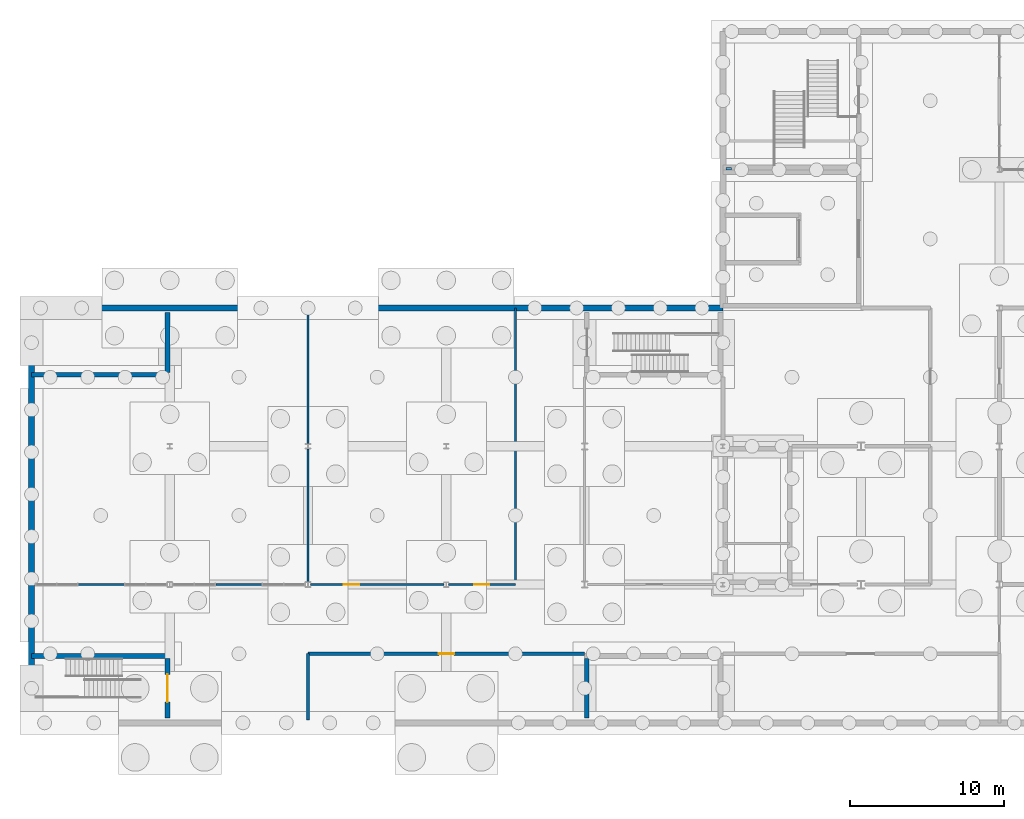
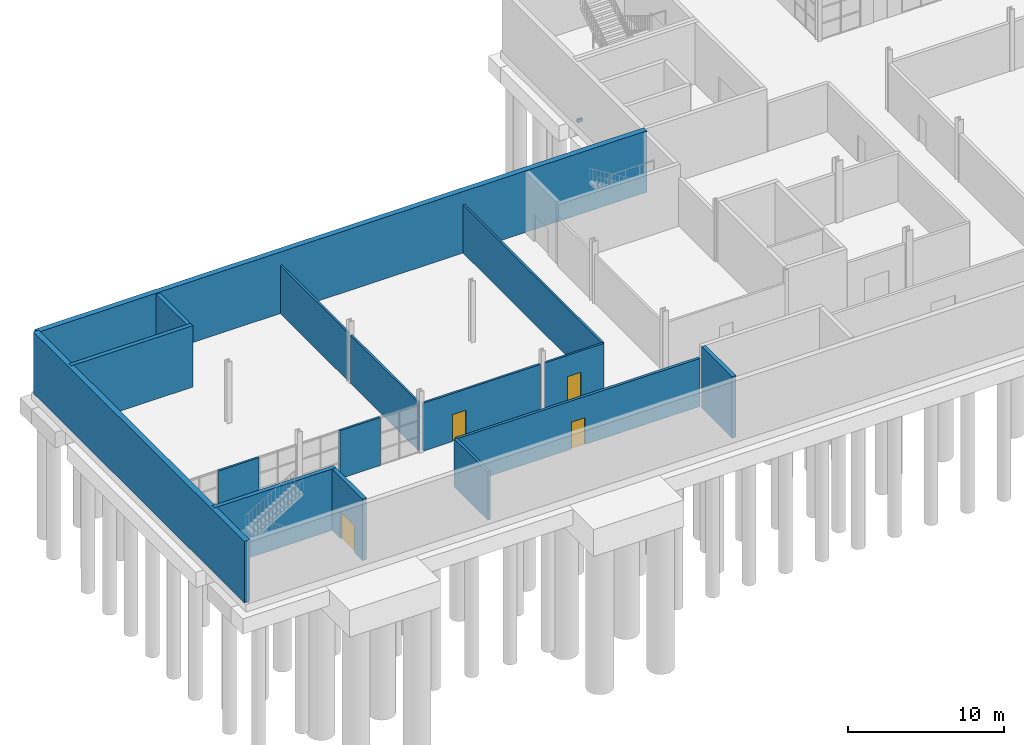
# One storey, part 11 of 17: 16 walls, 4 doors, 1 slab, 4 openings.
"""IFC4 building model written with IfcOpenShell, lengths in metres."""

from ifc_helpers import new_model, si_unit, direction, frame, frame_2d, origin, place, context, subcontext, project, spatial, polyline, rectangle, outline, extrude, material, layer, layer_set, type_object, element, fill, save


model = new_model("IFC4")

# Units and contexts
model_context = context("Model", 3, precision=1e-05, world=origin(), true_north=direction((0.0, 1.0)))
body_context = subcontext(model_context, "Body", "Model", "MODEL_VIEW")
ifc_project = project(units=[si_unit("LENGTHUNIT", "METRE"), si_unit("AREAUNIT", "SQUARE_METRE"), si_unit("VOLUMEUNIT", "CUBIC_METRE"), si_unit("PLANEANGLEUNIT", "RADIAN"), si_unit("MASSUNIT", "GRAM", prefix="KILO")], contexts=[model_context])

# Site, building, storey
site_placement = place(None, origin())
site = spatial("IfcSite", under=ifc_project, at=site_placement, CompositionType="ELEMENT")
building_placement = place(site_placement, origin())
building = spatial("IfcBuilding", under=site, at=building_placement, Name="Halyard Row Museum", CompositionType="ELEMENT")
storey_placement = place(building_placement, frame((0.0, 0.0, -9.60009765625)))
storey = spatial("IfcBuildingStorey", under=building, at=storey_placement, Name="B2", CompositionType="ELEMENT", Elevation=-9.60009765625)

# Slab
ifc_material_1 = material(Name="Concrete 40 MPa", Category="concrete")
ifc_layer_1 = layer(ifc_material_1, 0.25)
ifc_layer_set_1 = layer_set([ifc_layer_1], Name="Concrete 40 MPa")
slab_type = type_object("IfcSlabType", Name="Core floor slab 250", PredefinedType="FLOOR", material=ifc_layer_set_1)
slab_placement = place(storey_placement, frame((0.0, 0.0, -0.25)))
element("IfcSlab", 1, at=slab_placement, inside=storey, type_object=slab_type, Name="Core floor K5A B2", PredefinedType="FLOOR", context=body_context, shape_type="SweptSolid", body=[
    extrude(outline(polyline([(72.550048828125, 54.0), (72.550048828125, 54.14990234375), (72.199951171875, 54.14990234375), (72.199951171875, 54.0), (72.550048828125, 54.0)])), origin(), (0.0, 0.0, 1.0), 0.25),
])

# Walls
ifc_material_2 = material(Name="Concrete 40 MPa", Category="concrete")
ifc_layer_2 = layer(ifc_material_2, 0.39990234375)
ifc_layer_set_2 = layer_set([ifc_layer_2], Name="Concrete 40 MPa")
wall_type_1 = type_object("IfcWallType", Name="Basement retaining wall", PredefinedType="SOLIDWALL", material=ifc_layer_set_2)
wall_1_placement = place(storey_placement, frame((27.0, 45.0, 0.0), z_axis=(0.0, 0.0, 1.0), x_axis=(1.0, 0.0, 0.0)))
element("IfcWall", 2, at=wall_1_placement, inside=storey, type_object=wall_type_1, Name="Retaining wall B2 S1", PredefinedType="SOLIDWALL", context=body_context, shape_type="SweptSolid", body=[
    extrude(rectangle(XDim=45.0, YDim=0.39990234375, at=frame_2d((22.5, 0.0))), origin(), (0.0, 0.0, 1.0), 4.800048828125),
])
wall_2_placement = place(storey_placement, frame((27.0, 18.0, 0.0), z_axis=(0.0, 0.0, 1.0), x_axis=(0.0, 1.0, 0.0)))
element("IfcWall", 3, at=wall_2_placement, inside=storey, type_object=wall_type_1, Name="Retaining wall B2 W1", PredefinedType="SOLIDWALL", context=body_context, shape_type="SweptSolid", body=[
    extrude(rectangle(XDim=27.0, YDim=0.39990234375, at=frame_2d((13.5, 0.0))), origin(), (0.0, 0.0, 1.0), 4.800048828125),
])
ifc_material_3 = material(Name="Fire-resisting plasterboard on steel studs", Category="steel")
ifc_layer_3 = layer(ifc_material_3, 0.14990234375)
ifc_layer_set_3 = layer_set([ifc_layer_3], Name="Fire-resisting plasterboard on steel studs")
wall_type_2 = type_object("IfcWallType", Name="Compartment wall 150 fire rated", PredefinedType="PARTITIONING", material=ifc_layer_set_3)
for number, where, z_axis, x_axis, name in (
    (4, (30.03759765625, 27.0, 0.0), (0.0, 0.0, 1.0), (1.0, 0.0, 0.0), "Partition Stair Lobby K1D B2 / Paintings Conservation Laboratory"),
    (5, (39.0, 27.0, 0.0), (0.0, 0.0, 1.0), (1.0, 0.0, 0.0), "Partition Stair Lobby K1D B2 / Paintings Conservation Laboratory"),
):
    element("IfcWall", number, at=place(storey_placement, frame(where, z_axis=z_axis, x_axis=x_axis)), inside=storey, type_object=wall_type_2, Name=name, PredefinedType="PARTITIONING", context=body_context, shape_type="SweptSolid", body=[
        extrude(rectangle(XDim=3.0, YDim=0.14990234375, at=frame_2d((1.5, 0.0))), origin(), (0.0, 0.0, 1.0), 3.758056640625),
    ])

# Wall, opening, door
wall_3_placement = place(storey_placement, frame((45.175048828125, 27.0, 0.0), z_axis=(0.0, 0.0, 1.0), x_axis=(1.0, 0.0, 0.0)))
wall_3 = element("IfcWall", 6, at=wall_3_placement, inside=storey, type_object=wall_type_2, Name="Partition Lower Art Route / Paintings Store", PredefinedType="PARTITIONING", context=body_context, shape_type="SweptSolid", body=[
    extrude(rectangle(XDim=8.66943359375, YDim=0.14990234375, at=frame_2d((4.334716796875, 0.0))), origin(), (0.0, 0.0, 1.0), 3.758056640625),
])
opening_1_placement = place(wall_3_placement, frame((2.14990234375, 0.0, 0.0)))
opening_1 = element("IfcOpeningElement", 7, at=opening_1_placement, cuts=wall_3, Name="Opening DB2-009", PredefinedType="OPENING", context=body_context, shape_type="SweptSolid", body=[
    extrude(rectangle(XDim=1.0, YDim=2.10009765625, at=frame_2d((0.5, 1.050048828125))), frame((0.0, 0.0849609375, 0.0), z_axis=(0.0, -1.0, 0.0), x_axis=(1.0, 0.0, 0.0)), (0.0, 0.0, 1.0), 0.169921875),
])
ifc_material_4 = material(Name="Fire-resisting timber door leaf and steel frame", Category="steel")
door_type_1 = type_object("IfcDoorType", Name="Compartment door 1000 x 2100 fire rated", OperationType="NOTDEFINED", PredefinedType="DOOR", material=ifc_material_4)
door_1_placement = place(opening_1_placement, origin())
door_1 = element("IfcDoor", 8, at=door_1_placement, inside=storey, type_object=door_type_1, Name="Door Paintings Store to Lower Art Route", OperationType="SINGLE_SWING_RIGHT", OverallHeight=2.10009765625, OverallWidth=1.0, PredefinedType="DOOR", context=body_context, shape_type="SweptSolid", body=[
    extrude(rectangle(XDim=1.0, YDim=2.10009765625, at=frame_2d((0.5, 1.050048828125))), frame((0.0, 0.02490234375, 0.0), z_axis=(0.0, -1.0, 0.0), x_axis=(1.0, 0.0, 0.0)), (0.0, 0.0, 1.0), 0.050048828125),
])
fill(opening_1, door_1)

wall_4_placement = place(storey_placement, frame((54.155517578125, 27.0, 0.0), z_axis=(0.0, 0.0, 1.0), x_axis=(1.0, 0.0, 0.0)))
wall_4 = element("IfcWall", 9, at=wall_4_placement, inside=storey, type_object=wall_type_2, Name="Partition Lower Art Route / Paintings Store", PredefinedType="PARTITIONING", context=body_context, shape_type="SweptSolid", body=[
    extrude(rectangle(XDim=4.344482421875, YDim=0.14990234375, at=frame_2d((2.17236328125, 0.0))), origin(), (0.0, 0.0, 1.0), 3.758056640625),
])
opening_2_placement = place(wall_4_placement, frame((1.64990234375, 0.0, 0.0)))
opening_2 = element("IfcOpeningElement", 10, at=opening_2_placement, cuts=wall_4, Name="Opening DB2-010", PredefinedType="OPENING", context=body_context, shape_type="SweptSolid", body=[
    extrude(rectangle(XDim=1.0, YDim=2.10009765625, at=frame_2d((0.5, 1.050048828125))), frame((0.0, 0.0849609375, 0.0), z_axis=(0.0, -1.0, 0.0), x_axis=(1.0, 0.0, 0.0)), (0.0, 0.0, 1.0), 0.169921875),
])
door_2_placement = place(opening_2_placement, origin())
door_2 = element("IfcDoor", 11, at=door_2_placement, inside=storey, type_object=door_type_1, Name="Door Paintings Store to Lower Art Route", OperationType="SINGLE_SWING_LEFT", OverallHeight=2.10009765625, OverallWidth=1.0, PredefinedType="DOOR", context=body_context, shape_type="SweptSolid", body=[
    extrude(rectangle(XDim=1.0, YDim=2.10009765625, at=frame_2d((0.5, 1.050048828125))), frame((0.0, 0.02490234375, 0.0), z_axis=(0.0, -1.0, 0.0), x_axis=(1.0, 0.0, 0.0)), (0.0, 0.0, 1.0), 0.050048828125),
])
fill(opening_2, door_2)

# Walls
wall_5_placement = place(storey_placement, frame((45.0, 27.16943359375, 0.0), z_axis=(0.0, 0.0, 1.0), x_axis=(0.0, 1.0, 0.0)))
element("IfcWall", 12, at=wall_5_placement, inside=storey, type_object=wall_type_2, Name="Partition Paintings Conservation Laboratory / Paintings Store", PredefinedType="PARTITIONING", context=body_context, shape_type="SweptSolid", body=[
    extrude(rectangle(XDim=8.6611328125, YDim=0.14990234375, at=frame_2d((4.33056640625, 0.0))), origin(), (0.0, 0.0, 1.0), 3.758056640625),
])
wall_6_placement = place(storey_placement, frame((45.0, 36.16943359375, 0.0), z_axis=(0.0, 0.0, 1.0), x_axis=(0.0, 1.0, 0.0)))
element("IfcWall", 13, at=wall_6_placement, inside=storey, type_object=wall_type_2, Name="Partition Paintings Conservation Laboratory / Paintings Store", PredefinedType="PARTITIONING", context=body_context, shape_type="SweptSolid", body=[
    extrude(rectangle(XDim=8.630615234375, YDim=0.14990234375, at=frame_2d((4.3154296875, 0.0))), origin(), (0.0, 0.0, 1.0), 3.758056640625),
])
wall_7_placement = place(storey_placement, frame((58.5, 27.0, 0.0), z_axis=(0.0, 0.0, 1.0), x_axis=(0.0, 1.0, 0.0)))
element("IfcWall", 14, at=wall_7_placement, inside=storey, type_object=wall_type_2, Name="Partition Paintings Store / Stair Lobby K1B B2", PredefinedType="PARTITIONING", context=body_context, shape_type="SweptSolid", body=[
    extrude(rectangle(XDim=18.0, YDim=0.14990234375, at=frame_2d((9.0, 0.0))), origin(), (0.0, 0.0, 1.0), 3.758056640625),
])
ifc_material_5 = material(Name="Concrete 40 MPa", Category="concrete")
ifc_layer_4 = layer(ifc_material_5, 0.300048828125)
ifc_layer_set_4 = layer_set([ifc_layer_4], Name="Concrete 40 MPa")
wall_type_3 = type_object("IfcWallType", Name="Exitway wall 300 reinforced concrete", PredefinedType="SOLIDWALL", material=ifc_layer_set_4)
wall_8_placement = place(storey_placement, frame((27.0, 40.64990234375, 0.0), z_axis=(0.0, 0.0, 1.0), x_axis=(1.0, 0.0, 0.0)))
element("IfcWall", 15, at=wall_8_placement, inside=storey, type_object=wall_type_3, Name="Core wall K1A S B2", PredefinedType="SOLIDWALL", context=body_context, shape_type="SweptSolid", body=[
    extrude(rectangle(XDim=9.0, YDim=0.300048828125, at=frame_2d((4.5, 0.0))), origin(), (0.0, 0.0, 1.0), 4.800048828125),
])
for number, where, z_axis, x_axis, name in (
    (16, (35.85009765625, 40.800048828125, 0.0), (0.0, 0.0, 1.0), (0.0, 1.0, 0.0), "Core wall K1A E B2"),
    (17, (63.14990234375, 18.300048828125, 0.0), (0.0, 0.0, 1.0), (0.0, 1.0, 0.0), "Core wall K1C W B2"),
):
    element("IfcWall", number, at=place(storey_placement, frame(where, z_axis=z_axis, x_axis=x_axis)), inside=storey, type_object=wall_type_3, Name=name, PredefinedType="SOLIDWALL", context=body_context, shape_type="SweptSolid", body=[
        extrude(rectangle(XDim=3.89990234375, YDim=0.300048828125, at=frame_2d((1.949951171875, 0.0))), origin(), (0.0, 0.0, 1.0), 4.800048828125),
    ])

# Wall, opening, door
wall_9_placement = place(storey_placement, frame((35.85009765625, 18.300048828125, 0.0), z_axis=(0.0, 0.0, 1.0), x_axis=(0.0, 1.0, 0.0)))
wall_9 = element("IfcWall", 18, at=wall_9_placement, inside=storey, type_object=wall_type_3, Name="Core wall K1D E B2", PredefinedType="SOLIDWALL", context=body_context, shape_type="SweptSolid", body=[
    extrude(rectangle(XDim=3.89990234375, YDim=0.300048828125, at=frame_2d((1.949951171875, 0.0))), origin(), (0.0, 0.0, 1.0), 4.800048828125),
])
opening_3_placement = place(wall_9_placement, frame((1.050048828125, 0.0, 0.0)))
opening_3 = element("IfcOpeningElement", 19, at=opening_3_placement, cuts=wall_9, Name="Opening DB2-002", PredefinedType="OPENING", context=body_context, shape_type="SweptSolid", body=[
    extrude(rectangle(XDim=1.800048828125, YDim=2.10009765625, at=frame_2d((0.89990234375, 1.050048828125))), frame((0.0, 0.159912109375, 0.0), z_axis=(0.0, -1.0, 0.0), x_axis=(1.0, 0.0, 0.0)), (0.0, 0.0, 1.0), 0.320068359375),
])
ifc_material_6 = material(Name="Fire-resisting timber door leaf and steel frame", Category="steel")
door_type_2 = type_object("IfcDoorType", Name="Exitway door 1800 x 2100 fire rated", OperationType="NOTDEFINED", PredefinedType="DOOR", material=ifc_material_6)
door_3_placement = place(opening_3_placement, origin())
door_3 = element("IfcDoor", 20, at=door_3_placement, inside=storey, type_object=door_type_2, Name="Exitway door K1D B2", OperationType="DOUBLE_DOOR_SINGLE_SWING", OverallHeight=2.10009765625, OverallWidth=1.800048828125, PredefinedType="DOOR", context=body_context, shape_type="SweptSolid", body=[
    extrude(rectangle(XDim=1.800048828125, YDim=2.10009765625, at=frame_2d((0.89990234375, 1.050048828125))), frame((0.0, 0.02490234375, 0.0), z_axis=(0.0, -1.0, 0.0), x_axis=(1.0, 0.0, 0.0)), (0.0, 0.0, 1.0), 0.050048828125),
])
fill(opening_3, door_3)

# Walls
wall_10_placement = place(storey_placement, frame((27.0, 22.35009765625, 0.0), z_axis=(0.0, 0.0, 1.0), x_axis=(1.0, 0.0, 0.0)))
element("IfcWall", 21, at=wall_10_placement, inside=storey, type_object=wall_type_3, Name="Core wall K1D N B2", PredefinedType="SOLIDWALL", context=body_context, shape_type="SweptSolid", body=[
    extrude(rectangle(XDim=9.0, YDim=0.300048828125, at=frame_2d((4.5, 0.0))), origin(), (0.0, 0.0, 1.0), 4.800048828125),
])
ifc_material_7 = material(Name="Concrete masonry 15 MPa", Category="masonry")
ifc_layer_5 = layer(ifc_material_7, 0.199951171875)
ifc_layer_set_5 = layer_set([ifc_layer_5], Name="Concrete masonry 15 MPa")
wall_type_4 = type_object("IfcWallType", Name="Plant room wall 200 fire rated", PredefinedType="PARTITIONING", material=ifc_layer_set_5)
wall_11_placement = place(storey_placement, frame((45.0, 18.199951171875, 0.0), z_axis=(0.0, 0.0, 1.0), x_axis=(0.0, 1.0, 0.0)))
element("IfcWall", 22, at=wall_11_placement, inside=storey, type_object=wall_type_4, Name="Partition Stair Lobby K1D B2 / Sprinkler Tank Room", PredefinedType="PARTITIONING", context=body_context, shape_type="SweptSolid", body=[
    extrude(rectangle(XDim=4.300048828125, YDim=0.199951171875, at=frame_2d((2.14990234375, 0.0))), origin(), (0.0, 0.0, 1.0), 3.758056640625),
])

# Wall, opening, door
wall_12_placement = place(storey_placement, frame((45.0, 22.5, 0.0), z_axis=(0.0, 0.0, 1.0), x_axis=(1.0, 0.0, 0.0)))
wall_12 = element("IfcWall", 23, at=wall_12_placement, inside=storey, type_object=wall_type_4, Name="Partition Lower Art Route / Sprinkler Tank Room", PredefinedType="PARTITIONING", context=body_context, shape_type="SweptSolid", body=[
    extrude(rectangle(XDim=18.0, YDim=0.199951171875, at=frame_2d((9.0, 0.0))), origin(), (0.0, 0.0, 1.0), 3.758056640625),
])
opening_4_placement = place(wall_12_placement, frame((8.510009765625, 0.0, 0.0)))
opening_4 = element("IfcOpeningElement", 24, at=opening_4_placement, cuts=wall_12, Name="Opening DB2-006", PredefinedType="OPENING", context=body_context, shape_type="SweptSolid", body=[
    extrude(rectangle(XDim=1.0, YDim=2.10009765625, at=frame_2d((0.5, 1.050048828125))), frame((0.0, 0.10986328125, 0.0), z_axis=(0.0, -1.0, 0.0), x_axis=(1.0, 0.0, 0.0)), (0.0, 0.0, 1.0), 0.219970703125),
])
ifc_material_8 = material(Name="Galvanised steel door leaf and frame", Category="steel")
door_type_3 = type_object("IfcDoorType", Name="Plant room door 1000 x 2100 fire rated", OperationType="NOTDEFINED", PredefinedType="DOOR", material=ifc_material_8)
door_4_placement = place(opening_4_placement, frame((1.0, 0.0, 0.0), z_axis=(0.0, 0.0, 1.0), x_axis=(-1.0, 0.0, 0.0)))
door_4 = element("IfcDoor", 25, at=door_4_placement, inside=storey, type_object=door_type_3, Name="Door Sprinkler Tank Room to Lower Art Route", OperationType="SINGLE_SWING_RIGHT", OverallHeight=2.10009765625, OverallWidth=1.0, PredefinedType="DOOR", context=body_context, shape_type="SweptSolid", body=[
    extrude(rectangle(XDim=1.0, YDim=2.10009765625, at=frame_2d((0.5, 1.050048828125))), frame((0.0, 0.02490234375, 0.0), z_axis=(0.0, -1.0, 0.0), x_axis=(1.0, 0.0, 0.0)), (0.0, 0.0, 1.0), 0.050048828125),
])
fill(opening_4, door_4)

save(model, "model.ifc")
